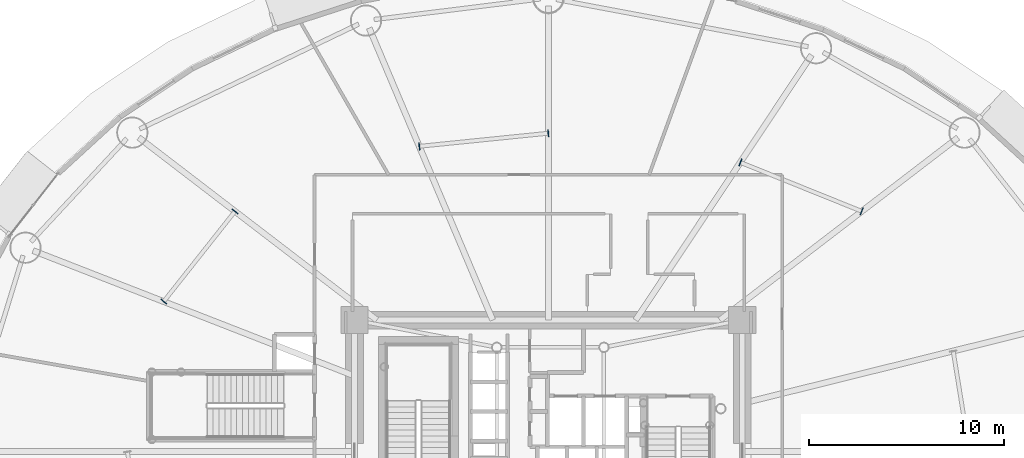
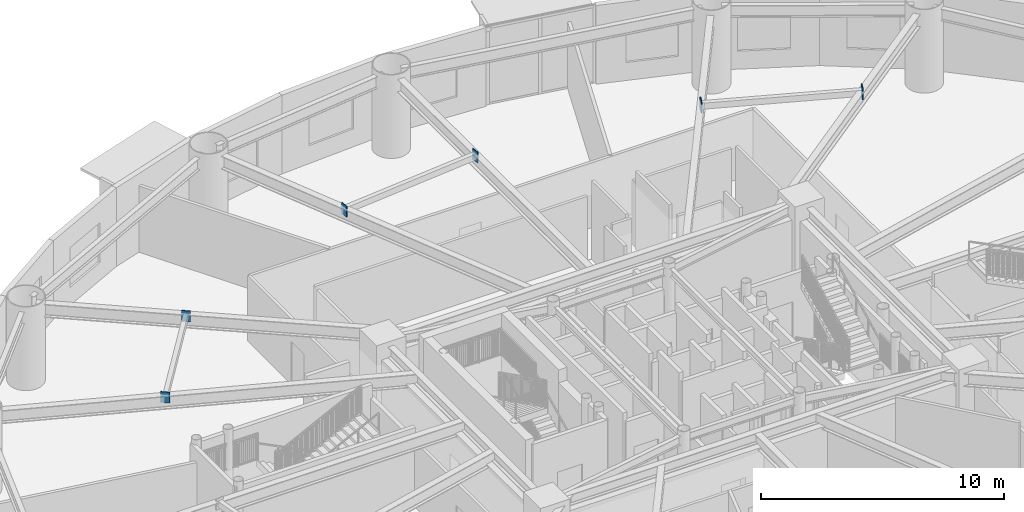
# One storey, part 18 of 35: 6 plates.
"""IFC4 building model written with IfcOpenShell, lengths in metres."""

from ifc_helpers import new_model, si_unit, direction, frame, origin, origin_2d, place, context, subcontext, project, spatial, rectangle, extrude, source, transform, mapped, material, layer, layer_set, type_object, element, save


model = new_model("IFC4")

# Units and contexts
model_context = context("Model", 3, precision=1e-05, world=origin(), true_north=direction((0.0, 1.0)))
body_context = subcontext(model_context, "Body", "Model", "MODEL_VIEW")
ifc_project = project(units=[si_unit("LENGTHUNIT", "METRE"), si_unit("AREAUNIT", "SQUARE_METRE"), si_unit("VOLUMEUNIT", "CUBIC_METRE"), si_unit("PLANEANGLEUNIT", "RADIAN"), si_unit("MASSUNIT", "GRAM", prefix="KILO")], contexts=[model_context])

# Site, building, storey
site_placement = place(None, origin())
site = spatial("IfcSite", under=ifc_project, at=site_placement, CompositionType="ELEMENT")
building_placement = place(site_placement, origin())
building = spatial("IfcBuilding", under=site, at=building_placement, Name="Linh Dai School and Residence Tower", CompositionType="ELEMENT")
storey_placement = place(building_placement, frame((0.0, 0.0, 32.39990234375)))
storey = spatial("IfcBuildingStorey", under=building, at=storey_placement, Name="L07", CompositionType="ELEMENT", Elevation=32.39990234375)

# Plates
ifc_material = material(Name="Structural Steel S355JR", Category="steel")
ifc_layer = layer(ifc_material, 0.0400390625)
ifc_layer_set = layer_set([ifc_layer], Name="Structural Steel S355JR")
plate_type = type_object("IfcPlateType", Name="PLT-GP1", PredefinedType="USERDEFINED", material=ifc_layer_set)
shared_shape = source(origin(), body_context, "Body", "SweptSolid", [
    extrude(rectangle(XDim=0.0400390625, YDim=0.3798828125, at=origin_2d()), origin(), (0.0, 0.0, 1.0), 0.5400390625),
])
for number, where, z_axis, x_axis, name in (
    (1, (52.078125, 39.3310546875, 3.530029296875), (0.0, 0.0, 1.0), (-0.927536459105, 0.373732681245, 0.0), "L07 Secondary Beam End Plate 02A"),
    (2, (45.8544921875, 41.838623046875, 3.530029296875), (0.0, 0.0, 1.0), (-0.927536459105, 0.373732681245, 0.0), "L07 Secondary Beam End Plate 02B"),
    (3, (35.9951171875, 43.3369140625, 3.530029296875), (0.0, 0.0, 1.0), (-0.994884100574, -0.101022900497, 0.0), "L07 Secondary Beam End Plate 03A"),
    (4, (29.378173828125, 42.6650390625, 3.530029296875), (0.0, 0.0, 1.0), (-0.994884100574, -0.101022900497, 0.0), "L07 Secondary Beam End Plate 03B"),
    (5, (19.914306640625, 39.3251953125, 3.530029296875), (0.0, 0.0, 1.0), (-0.620177637481, -0.784461406297, 0.0), "L07 Secondary Beam End Plate 04A"),
    (6, (16.259521484375, 34.702392578125, 3.530029296875), (0.0, 0.0, 1.0), (-0.620177637481, -0.784461406297, 0.0), "L07 Secondary Beam End Plate 04B"),
):
    element("IfcPlate", number, at=place(storey_placement, frame(where, z_axis=z_axis, x_axis=x_axis)), inside=storey, type_object=plate_type, Name=name, ObjectType="GUSSET PLATE", PredefinedType="USERDEFINED", context=body_context, shape_type="MappedRepresentation", body=[
        mapped(shared_shape, transform((0.0, 0.0, 0.0), x_axis=(1.0, 0.0, 0.0), y_axis=(0.0, 1.0, 0.0), z_axis=(0.0, 0.0, 1.0), scale=1.0)),
    ])

save(model, "model.ifc")
